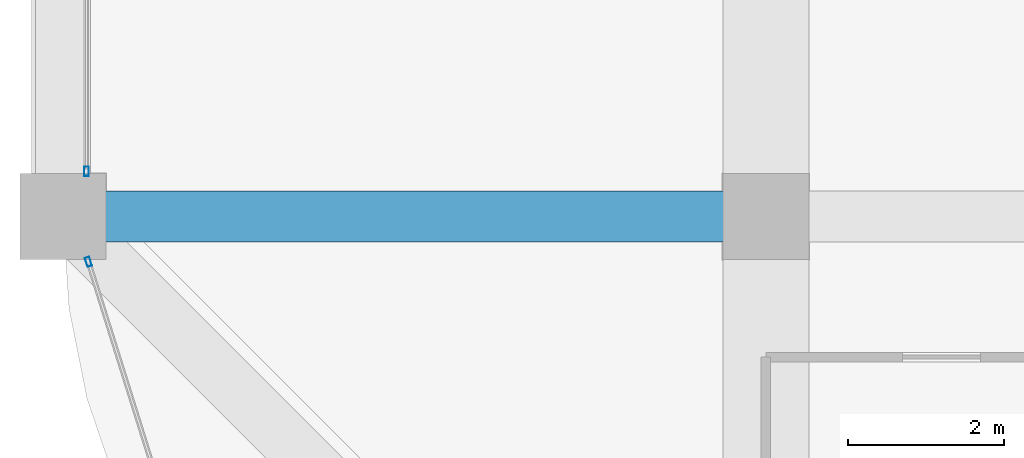
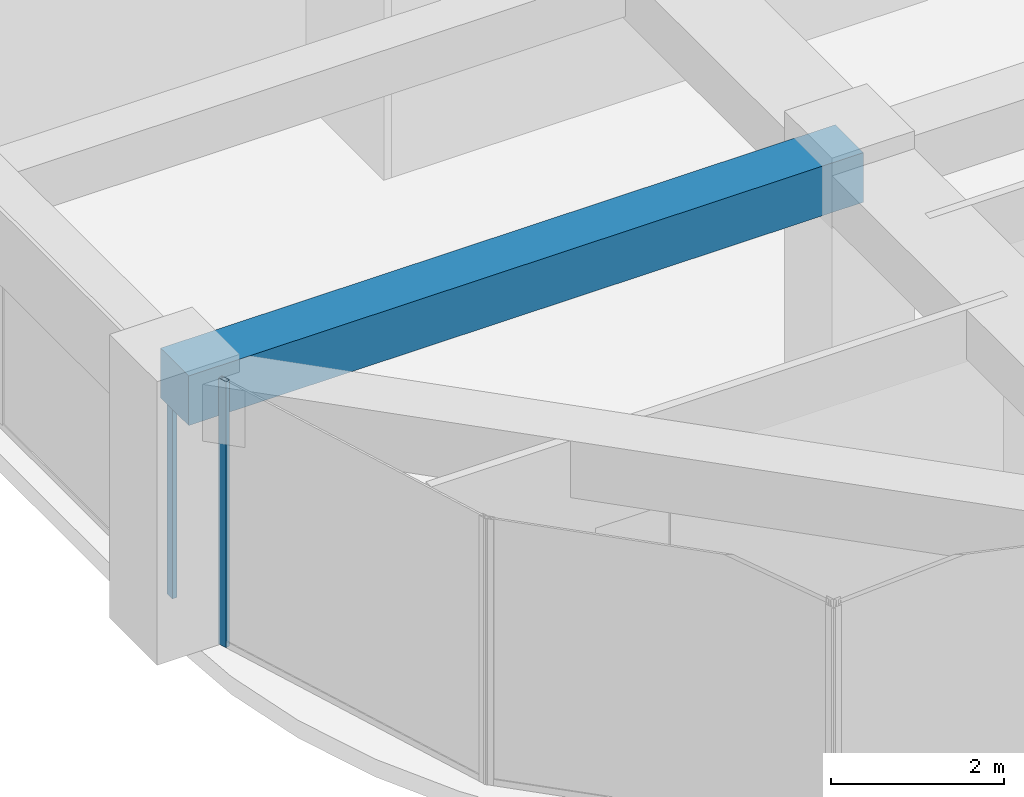
# One storey, part 6 of 44: 2 members, 1 beam, 2 elements without a shape of their own.
"""IFC4 building model written with IfcOpenShell, lengths in metres."""

import ifcopenshell
import ifcopenshell.guid

model = None  # the IFC model being written
_history = None  # IfcOwnerHistory: only IFC2X3 demands one
_inside = {}  # id of a spatial element -> (the spatial element, [elements in it])
_under = {}  # id of a project, library or spatial element -> (it, [spatial elements below it])
_declared = {}  # id of a project -> (the project, [libraries it declares])
_typed = {}  # id of a type object -> (the type object, [elements of that type])
_made_of = {}  # id of a material, layer set ... -> (it, [elements and type objects made of it])


def new_model(schema):
    """Start an empty IFC model of exactly this schema.

    Asked for "IFC4X3", IfcOpenShell would pick the latest addendum, in which some entities
    have other attributes; the version numbers below select the first issue.
    IFC2X3 requires an IfcOwnerHistory on every rooted entity: one is made here for all.
    """
    global model, _history
    if schema == "IFC4X3":
        model = ifcopenshell.file(schema_version=(4, 3, 0, 0))
    else:
        model = ifcopenshell.file(schema=schema)
    _inside.clear()
    _under.clear()
    _declared.clear()
    _typed.clear()
    _made_of.clear()
    _history = None
    if model.schema == "IFC2X3":
        org = make("IfcOrganization", Name="unknown")
        user = make(
            "IfcPersonAndOrganization",
            ThePerson=make("IfcPerson", FamilyName="unknown"),
            TheOrganization=org,
        )
        app = make(
            "IfcApplication",
            ApplicationDeveloper=org,
            Version="unknown",
            ApplicationFullName="unknown",
            ApplicationIdentifier="unknown",
        )
        _history = make(
            "IfcOwnerHistory",
            OwningUser=user,
            OwningApplication=app,
            ChangeAction="ADDED",
            CreationDate=0,
        )
    return model


def make(cls, **values):
    """One entity of the class cls with the attributes given. An attribute that is None is left unset."""
    return model.create_entity(
        cls, **{name: value for name, value in values.items() if value is not None}
    )


def rooted(cls, **values):
    """An entity with a GlobalId (a new one), such as an element, a storey or a relation."""
    return make(cls, GlobalId=ifcopenshell.guid.new(), OwnerHistory=_history, **values)


def si_unit(unit_type, name, prefix=None):
    """IfcSIUnit, for example si_unit("LENGTHUNIT", "METRE", prefix="MILLI")."""
    return make("IfcSIUnit", UnitType=unit_type, Prefix=prefix, Name=name)


def assignment(units):
    """IfcUnitAssignment: the units of a project."""
    return None if units is None else make("IfcUnitAssignment", Units=units)


def point(xyz):
    """IfcCartesianPoint."""
    return None if xyz is None else make("IfcCartesianPoint", Coordinates=xyz)


def direction(xyz):
    """IfcDirection."""
    return None if xyz is None else make("IfcDirection", DirectionRatios=xyz)


def frame(location, z_axis=None, x_axis=None):
    """IfcAxis2Placement3D, a coordinate frame: its origin and axes. An axis left out is left unset."""
    return make(
        "IfcAxis2Placement3D",
        Location=point(location),
        Axis=direction(z_axis),
        RefDirection=direction(x_axis),
    )


def frame_2d(location, x_axis=None):
    """IfcAxis2Placement2D, a coordinate frame in the plane: its origin and x axis."""
    return make(
        "IfcAxis2Placement2D", Location=point(location), RefDirection=direction(x_axis)
    )


def origin():
    """The frame at (0, 0, 0) with its axes left unset."""
    return frame((0.0, 0.0, 0.0))


def origin_2d():
    """The frame at (0, 0) in the plane with its x axis left unset."""
    return frame_2d((0.0, 0.0))


def place(relative_to, where):
    """IfcLocalPlacement: puts the frame where relative to a parent placement (None: the world)."""
    return make(
        "IfcLocalPlacement", PlacementRelTo=relative_to, RelativePlacement=where
    )


def context(
    kind, dimensions, precision=None, world=None, true_north=None, identifier=None
):
    """IfcGeometricRepresentationContext, for example the 3D "Model" context."""
    return make(
        "IfcGeometricRepresentationContext",
        ContextIdentifier=identifier,
        ContextType=kind,
        CoordinateSpaceDimension=dimensions,
        Precision=precision,
        WorldCoordinateSystem=world,
        TrueNorth=true_north,
    )


def subcontext(parent, identifier, kind, view, scale=None):
    """IfcGeometricRepresentationSubContext, for example "Body" below "Model"."""
    return make(
        "IfcGeometricRepresentationSubContext",
        ContextIdentifier=identifier,
        ContextType=kind,
        ParentContext=parent,
        TargetScale=scale,
        TargetView=view,
    )


def project(units=None, contexts=None):
    """IfcProject with its units and contexts."""
    return rooted(
        "IfcProject",
        Name="project",
        RepresentationContexts=contexts,
        UnitsInContext=assignment(units),
    )


def spatial(cls, under=None, at=None, **own):
    """A site, building, storey or space (cls), placed at a placement, below another one or the project."""
    s = rooted(cls, ObjectPlacement=at, **own)
    if under is not None:
        _under.setdefault(under.id(), (under, []))[1].append(s)
    return s


def profile(cls, at=None, kind="AREA", **sizes):
    """A parametric profile (cls). Its sizes go by their IFC names, for example OverallWidth=200.0."""
    return make(cls, ProfileType=kind, Position=at, **sizes)


def rectangle(**sizes):
    """IfcRectangleProfileDef."""
    return profile("IfcRectangleProfileDef", **sizes)


def hollow_rectangle(**sizes):
    """IfcRectangleHollowProfileDef."""
    return profile("IfcRectangleHollowProfileDef", **sizes)


def extrude(swept, where, along, depth):
    """IfcExtrudedAreaSolid: the profile swept, set in the frame where, extruded along a direction by depth."""
    return make(
        "IfcExtrudedAreaSolid",
        SweptArea=swept,
        Position=where,
        ExtrudedDirection=direction(along),
        Depth=depth,
    )


def shape(context_of_items, identifier, shape_type, items):
    """IfcShapeRepresentation: the items that make up one representation, for example the "Body"."""
    return make(
        "IfcShapeRepresentation",
        ContextOfItems=context_of_items,
        RepresentationIdentifier=identifier,
        RepresentationType=shape_type,
        Items=items,
    )


def material(Name=None, Category=None):
    """IfcMaterial."""
    return make("IfcMaterial", Name=Name, Category=Category)


def material_profile(
    of_material, cross_section, Name=None, Category=None, Priority=None
):
    """IfcMaterialProfile: a cross section and its material."""
    return make(
        "IfcMaterialProfile",
        Name=Name,
        Material=of_material,
        Profile=cross_section,
        Priority=Priority,
        Category=Category,
    )


def profile_set(profiles, Name=None, composite=None):
    """IfcMaterialProfileSet."""
    return make(
        "IfcMaterialProfileSet",
        Name=Name,
        MaterialProfiles=profiles,
        CompositeProfile=composite,
    )


def made_of(thing, what):
    """Note that an element or type object is made of a material, layer set ...; save() writes the relation."""
    if what is not None:
        _made_of.setdefault(what.id(), (what, []))[1].append(thing)
    return thing


def type_object(cls, material=None, **own):
    """A type object (cls), such as IfcWallType, which elements share."""
    return made_of(rooted(cls, **own), material)


def element(
    cls,
    number,
    at=None,
    inside=None,
    cuts=None,
    type_object=None,
    material=None,
    context=None,
    identifier="Body",
    shape_type=None,
    held_by="IfcProductDefinitionShape",
    body=None,
    shapes=None,
    **own,
):
    """One element of the class cls, such as IfcWall. Its Tag is "e" and its number.

    at: its placement. inside: the storey or other place that contains it. cuts: it is an
    opening in that element (IfcRelVoidsElement). A single representation is given by context,
    identifier, shape_type and body (its items); several are given by shapes. held_by: the class
    of the entity that holds the representations. save() writes the other relations.
    """
    e = rooted(cls, Tag="e%d" % number, ObjectPlacement=at, **own)
    if body is not None:
        shapes = [shape(context, identifier, shape_type, body)]
    if shapes is not None:
        e.Representation = make(held_by, Representations=shapes)
    if inside is not None:
        _inside.setdefault(inside.id(), (inside, []))[1].append(e)
    if cuts is not None:
        rooted(
            "IfcRelVoidsElement", RelatingBuildingElement=cuts, RelatedOpeningElement=e
        )
    if type_object is not None:
        _typed.setdefault(type_object.id(), (type_object, []))[1].append(e)
    return made_of(e, material)


def aggregate(whole, parts):
    """IfcRelAggregates: a whole, such as a stair, and the parts it consists of."""
    return rooted("IfcRelAggregates", RelatingObject=whole, RelatedObjects=parts)


def save(model, path):
    """Write the relations noted so far, then the file.

    IfcRelAggregates (storeys below a building ...), IfcRelContainedInSpatialStructure (elements
    in a storey), IfcRelDefinesByType, IfcRelAssociatesMaterial and IfcRelDeclares: one each for
    every whole, place, type object, material and project.
    """
    for whole, parts in _under.values():
        aggregate(whole, parts)
    for where, things in _inside.values():
        rooted(
            "IfcRelContainedInSpatialStructure",
            RelatedElements=things,
            RelatingStructure=where,
        )
    for kind, things in _typed.values():
        rooted("IfcRelDefinesByType", RelatedObjects=things, RelatingType=kind)
    for what, things in _made_of.values():
        rooted("IfcRelAssociatesMaterial", RelatedObjects=things, RelatingMaterial=what)
    for by, libraries in _declared.values():
        rooted("IfcRelDeclares", RelatingContext=by, RelatedDefinitions=libraries)
    model.write(path)


model = new_model("IFC4")

# Units and contexts
model_context = context("Model", 3, precision=1e-05, world=origin(), true_north=direction((0.0, 1.0)))
body_context = subcontext(model_context, "Body", "Model", "MODEL_VIEW")
ifc_project = project(units=[si_unit("LENGTHUNIT", "METRE"), si_unit("AREAUNIT", "SQUARE_METRE"), si_unit("VOLUMEUNIT", "CUBIC_METRE"), si_unit("PLANEANGLEUNIT", "RADIAN"), si_unit("MASSUNIT", "GRAM", prefix="KILO")], contexts=[model_context])

# Site, building, storey
site_placement = place(None, origin())
site = spatial("IfcSite", under=ifc_project, at=site_placement, CompositionType="ELEMENT")
building_placement = place(site_placement, origin())
building = spatial("IfcBuilding", under=site, at=building_placement, Name="Zorevar Civic Tower", CompositionType="ELEMENT")
storey_placement = place(building_placement, frame((0.0, 0.0, 299.39990234375)))
storey = spatial("IfcBuildingStorey", under=building, at=storey_placement, Name="L73", CompositionType="ELEMENT", Elevation=299.39990234375)

# Beam
ifc_material_1 = material(Name="Concrete C50/60", Category="concrete")
ifc_material_profile_1 = material_profile(ifc_material_1, rectangle(XDim=0.64990234375, YDim=0.699951171875, at=origin_2d()), Name="RC 650x700")
ifc_profile_set_1 = profile_set([ifc_material_profile_1], Name="Concrete C50/60")
beam_type = type_object("IfcBeamType", Name="Beam RC 650x700", PredefinedType="BEAM", material=ifc_profile_set_1)
beam_placement = place(storey_placement, frame((9.0, 9.0, 3.400146484375), z_axis=(1.0, 0.0, 0.0), x_axis=(0.0, 1.0, 0.0)))
element("IfcBeam", 1, at=beam_placement, inside=storey, type_object=beam_type, Name="Girder L74", PredefinedType="BEAM", context=body_context, shape_type="SweptSolid", body=[
    extrude(rectangle(XDim=0.64990234375, YDim=0.699951171875, at=origin_2d()), origin(), (0.0, 0.0, 1.0), 9.0),
])

# Curtain wall, member
ifc_material_2 = material(Name="Dark grey solar-control glass in black aluminium frame", Category="aluminium")
curtain_wall_type = type_object("IfcCurtainWallType", Name="Curtain wall CW5 top zone", PredefinedType="NOTDEFINED", material=ifc_material_2)
curtain_wall_1_placement = place(storey_placement, origin())
curtain_wall_1 = element("IfcCurtainWall", 2, at=curtain_wall_1_placement, inside=storey, type_object=curtain_wall_type, Name="CW5 L73", PredefinedType="NOTDEFINED")
ifc_material_3 = material(Name="Aluminium, black anodised", Category="aluminium")
ifc_material_profile_2 = material_profile(ifc_material_3, hollow_rectangle(XDim=0.06005859375, YDim=0.1201171875, WallThickness=0.0029296875, at=origin_2d()), Name="AL 120x60x3")
ifc_profile_set_2 = profile_set([ifc_material_profile_2], Name="Aluminium, black anodised")
member_type = type_object("IfcMemberType", Name="CW5 mullion AL 120x60x3", PredefinedType="MULLION", material=ifc_profile_set_2)
member_1_placement = place(storey_placement, frame((9.300048828125, 9.580078125, 0.0), z_axis=(0.0, 0.0, 1.0), x_axis=(-1.0, 0.0, 0.0)))
member_1 = element("IfcMember", 3, at=member_1_placement, type_object=member_type, Name="CW5 mullion 1", PredefinedType="MULLION", context=body_context, shape_type="SweptSolid", body=[
    extrude(hollow_rectangle(XDim=0.06005859375, YDim=0.1201171875, WallThickness=0.0029296875, at=origin_2d()), origin(), (0.0, 0.0, 1.0), 2.9501953125),
])
aggregate(curtain_wall_1, [member_1])

curtain_wall_2_placement = place(storey_placement, origin())
curtain_wall_2 = element("IfcCurtainWall", 4, at=curtain_wall_2_placement, inside=storey, type_object=curtain_wall_type, Name="CW5 L73", PredefinedType="NOTDEFINED")
member_2_placement = place(storey_placement, frame((9.326416015625, 8.42138671875, 0.0), z_axis=(0.0, 0.0, 1.0), x_axis=(0.954153437674, 0.299317920238, 0.0)))
member_2 = element("IfcMember", 5, at=member_2_placement, type_object=member_type, Name="CW5 mullion 1", PredefinedType="MULLION", context=body_context, shape_type="SweptSolid", body=[
    extrude(hollow_rectangle(XDim=0.06005859375, YDim=0.1201171875, WallThickness=0.0029296875, at=origin_2d()), origin(), (0.0, 0.0, 1.0), 3.75),
])
aggregate(curtain_wall_2, [member_2])

save(model, "model.ifc")
